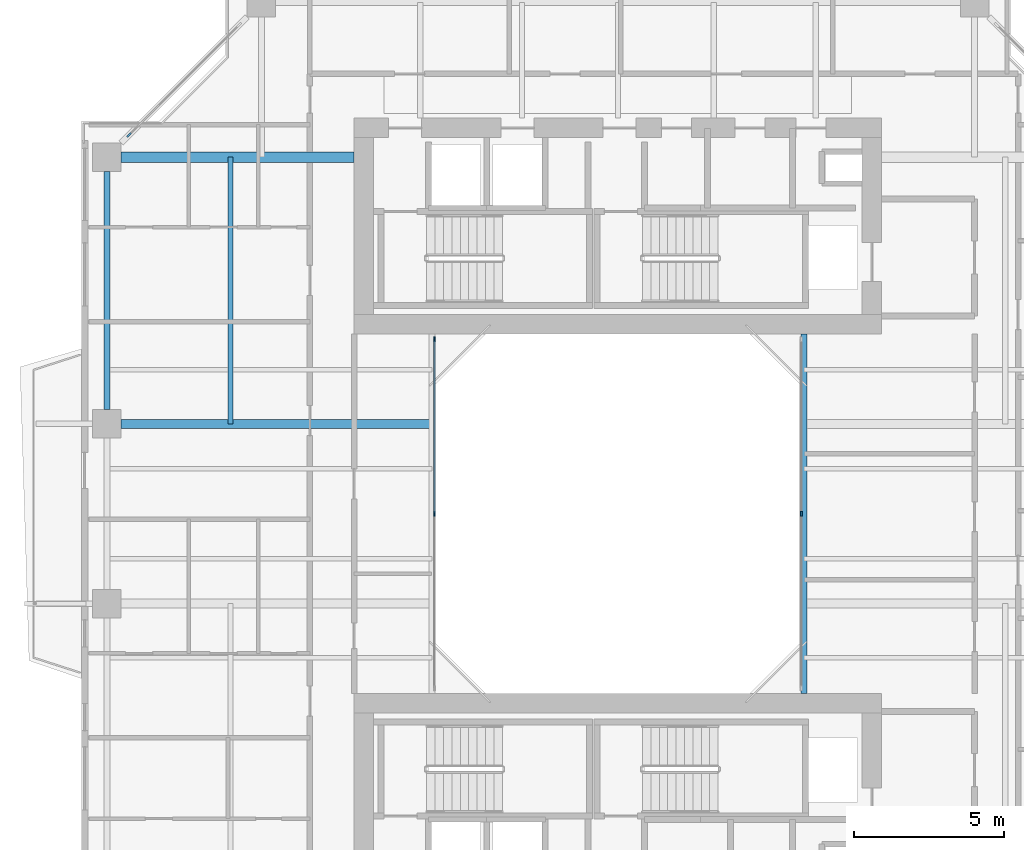
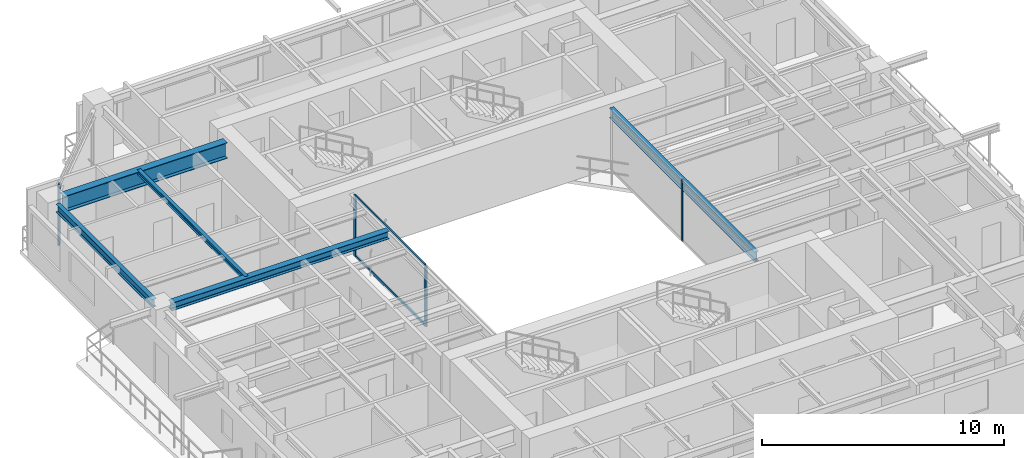
# One storey, part 6 of 18: 6 members, 5 beams, 3 elements without a shape of their own.
"""IFC4 building model written with IfcOpenShell, lengths in metres."""

from ifc_helpers import new_model, si_unit, direction, frame, origin, origin_2d, place, context, subcontext, project, spatial, rectangle, i_section, extrude, source, transform, mapped, material, layer, layer_set, material_profile, profile_set, type_object, element, aggregate, save


model = new_model("IFC4")

# Units and contexts
model_context = context("Model", 3, precision=1e-05, world=origin(), true_north=direction((0.0, 1.0)))
body_context = subcontext(model_context, "Body", "Model", "MODEL_VIEW")
ifc_project = project(units=[si_unit("LENGTHUNIT", "METRE"), si_unit("AREAUNIT", "SQUARE_METRE"), si_unit("VOLUMEUNIT", "CUBIC_METRE"), si_unit("PLANEANGLEUNIT", "RADIAN"), si_unit("MASSUNIT", "GRAM", prefix="KILO"), si_unit("THERMODYNAMICTEMPERATUREUNIT", "KELVIN"), si_unit("POWERUNIT", "WATT")], contexts=[model_context])

# Site, building, storey
site_placement = place(None, origin())
site = spatial("IfcSite", under=ifc_project, at=site_placement, CompositionType="ELEMENT")
building_placement = place(site_placement, origin())
building = spatial("IfcBuilding", under=site, at=building_placement, Name="Qiaomeng Ring Towers", CompositionType="ELEMENT")
storey_placement = place(building_placement, frame((0.0, 0.0, 179.5)))
storey = spatial("IfcBuildingStorey", under=building, at=storey_placement, Name="L52", CompositionType="ELEMENT", Elevation=179.5)

# Beams
ifc_material_1 = material(Name="Steel Q355B", Category="steel")
ifc_material_profile_1 = material_profile(ifc_material_1, i_section(OverallWidth=0.199951171875, OverallDepth=0.5, WebThickness=0.010009765625, FlangeThickness=0.01611328125, FilletRadius=0.02001953125, at=origin_2d()), Name="HN 500x200x10x16")
ifc_profile_set_1 = profile_set([ifc_material_profile_1], Name="Steel Q355B")
beam_type_1 = type_object("IfcBeamType", Name="STR-BM-HN500", PredefinedType="BEAM", material=ifc_profile_set_1)
shared_shape_1 = source(origin(), body_context, "Body", "SweptSolid", [
    extrude(i_section(OverallWidth=0.199951171875, OverallDepth=0.5, WebThickness=0.010009765625, FlangeThickness=0.01611328125, FilletRadius=0.02001953125, at=origin_2d()), origin(), (0.0, 0.0, 1.0), 12.0),
])
beam_1_placement = place(storey_placement, frame((25.199951171875, 17.0, 2.820068359375), z_axis=(0.0, 1.0, 0.0), x_axis=(-1.0, 0.0, 0.0)))
element("IfcBeam", 1, at=beam_1_placement, inside=storey, type_object=beam_type_1, Name="L52 beam STR-BM-L52-WELL-E", PredefinedType="BEAM", context=body_context, shape_type="MappedRepresentation", body=[
    mapped(shared_shape_1, transform((0.0, 0.0, 0.0), x_axis=(1.0, 0.0, 0.0), y_axis=(0.0, 1.0, 0.0), z_axis=(0.0, 0.0, 1.0), scale=1.0)),
])
ifc_material_profile_2 = material_profile(ifc_material_1, i_section(OverallWidth=0.175048828125, OverallDepth=0.243896484375, WebThickness=0.007080078125, FlangeThickness=0.010986328125, FilletRadius=0.01611328125, at=origin_2d()), Name="HM 244x175x7x11")
ifc_profile_set_2 = profile_set([ifc_material_profile_2], Name="Steel Q355B")
beam_type_2 = type_object("IfcBeamType", Name="STR-BM-HM244", PredefinedType="JOIST", material=ifc_profile_set_2)
shared_shape_2 = source(origin(), body_context, "Body", "SweptSolid", [
    extrude(i_section(OverallWidth=0.175048828125, OverallDepth=0.243896484375, WebThickness=0.007080078125, FlangeThickness=0.010986328125, FilletRadius=0.01611328125, at=origin_2d()), origin(), (0.0, 0.0, 1.0), 8.89990234375),
])
beam_2_placement = place(storey_placement, frame((6.074951171875, 26.0, 2.947998046875), z_axis=(0.0, 1.0, 0.0), x_axis=(-1.0, 0.0, 0.0)))
element("IfcBeam", 2, at=beam_2_placement, inside=storey, type_object=beam_type_2, Name="L52 beam STR-JST-L52-T1C-WN", PredefinedType="JOIST", context=body_context, shape_type="MappedRepresentation", body=[
    mapped(shared_shape_2, transform((0.0, 0.0, 0.0), x_axis=(1.0, 0.0, 0.0), y_axis=(0.0, 1.0, 0.0), z_axis=(0.0, 0.0, 1.0), scale=1.0)),
])
ifc_material_profile_3 = material_profile(ifc_material_1, i_section(OverallWidth=0.199951171875, OverallDepth=0.39990234375, WebThickness=0.008056640625, FlangeThickness=0.012939453125, FilletRadius=0.01611328125, at=origin_2d()), Name="HN 400x200x8x13")
ifc_profile_set_3 = profile_set([ifc_material_profile_3], Name="Steel Q355B")
beam_type_3 = type_object("IfcBeamType", Name="STR-BM-HN400", PredefinedType="SPANDREL", material=ifc_profile_set_3)
shared_shape_3 = source(origin(), body_context, "Body", "SweptSolid", [
    extrude(i_section(OverallWidth=0.199951171875, OverallDepth=0.39990234375, WebThickness=0.008056640625, FlangeThickness=0.012939453125, FilletRadius=0.01611328125, at=origin_2d()), origin(), (0.0, 0.0, 1.0), 7.951904296875),
])
beam_3_placement = place(storey_placement, frame((1.949951171875, 34.426025390625, 2.8701171875), z_axis=(0.0, -1.0, 0.0), x_axis=(1.0, 0.0, 0.0)))
element("IfcBeam", 3, at=beam_3_placement, inside=storey, type_object=beam_type_3, Name="L52 beam STR-SP-L52-T1-W4-W3", PredefinedType="SPANDREL", context=body_context, shape_type="MappedRepresentation", body=[
    mapped(shared_shape_3, transform((0.0, 0.0, 0.0), x_axis=(1.0, 0.0, 0.0), y_axis=(0.0, 1.0, 0.0), z_axis=(0.0, 0.0, 1.0), scale=1.0)),
])
ifc_material_2 = material(Name="Steel Q390GJC", Category="steel")
ifc_material_profile_4 = material_profile(ifc_material_2, i_section(OverallWidth=0.35009765625, OverallDepth=0.800048828125, WebThickness=0.01611328125, FlangeThickness=0.028076171875, at=origin_2d()), Name="WH 800x350x16x28")
ifc_profile_set_4 = profile_set([ifc_material_profile_4], Name="Steel Q390GJC")
beam_type_4 = type_object("IfcBeamType", Name="STR-BM-WH800", PredefinedType="BEAM", material=ifc_profile_set_4)
shared_shape_4 = source(origin(), body_context, "Body", "SweptSolid", [
    extrude(i_section(OverallWidth=0.35009765625, OverallDepth=0.800048828125, WebThickness=0.01611328125, FlangeThickness=0.028076171875, at=origin_2d()), origin(), (0.0, 0.0, 1.0), 7.77587890625),
])
beam_4_placement = place(storey_placement, frame((2.424072265625, 34.89990234375, 2.669921875), z_axis=(1.0, 0.0, 0.0), x_axis=(0.0, 1.0, 0.0)))
element("IfcBeam", 4, at=beam_4_placement, inside=storey, type_object=beam_type_4, Name="L52 beam STR-BM-L52-T1-RAD-W4", PredefinedType="BEAM", context=body_context, shape_type="MappedRepresentation", body=[
    mapped(shared_shape_4, transform((0.0, 0.0, 0.0), x_axis=(1.0, 0.0, 0.0), y_axis=(0.0, 1.0, 0.0), z_axis=(0.0, 0.0, 1.0), scale=1.0)),
])
ifc_material_profile_5 = material_profile(ifc_material_1, i_section(OverallWidth=0.300048828125, OverallDepth=0.389892578125, WebThickness=0.010009765625, FlangeThickness=0.01611328125, FilletRadius=0.02197265625, at=origin_2d()), Name="HM 390x300x10x16")
ifc_profile_set_5 = profile_set([ifc_material_profile_5], Name="Steel Q355B")
beam_type_5 = type_object("IfcBeamType", Name="STR-BM-HM390", PredefinedType="BEAM", material=ifc_profile_set_5)
shared_shape_5 = source(origin(), body_context, "Body", "SweptSolid", [
    extrude(i_section(OverallWidth=0.300048828125, OverallDepth=0.389892578125, WebThickness=0.010009765625, FlangeThickness=0.01611328125, FilletRadius=0.02197265625, at=origin_2d()), origin(), (0.0, 0.0, 1.0), 10.3759765625),
])
beam_5_placement = place(storey_placement, frame((2.424072265625, 26.0, 2.875), z_axis=(1.0, 0.0, 0.0), x_axis=(0.0, 1.0, 0.0)))
element("IfcBeam", 5, at=beam_5_placement, inside=storey, type_object=beam_type_5, Name="L52 beam STR-BM-L52-T1-RAD-W3", PredefinedType="BEAM", context=body_context, shape_type="MappedRepresentation", body=[
    mapped(shared_shape_5, transform((0.0, 0.0, 0.0), x_axis=(1.0, 0.0, 0.0), y_axis=(0.0, 1.0, 0.0), z_axis=(0.0, 0.0, 1.0), scale=1.0)),
])

# Curtain wall, members
ifc_material_3 = material(Name="Fluorocarbon dark-grey aluminium", Category="aluminium")
ifc_layer_1 = layer(ifc_material_3, 0.139892578125, Name="Fluorocarbon dark-grey aluminium")
ifc_layer_set_1 = layer_set([ifc_layer_1], Name="Fluorocarbon dark-grey aluminium")
curtain_wall_type_1 = type_object("IfcCurtainWallType", Name="ARC-CW-4", PredefinedType="NOTDEFINED", material=ifc_layer_set_1)
curtain_wall_1_placement = place(storey_placement, origin())
curtain_wall_1 = element("IfcCurtainWall", 6, at=curtain_wall_1_placement, inside=storey, type_object=curtain_wall_type_1, Name="L52 Curtain Wall CW4", PredefinedType="NOTDEFINED")
ifc_material_profile_6 = material_profile(ifc_material_3, rectangle(XDim=0.06494140625, YDim=0.159912109375, at=origin_2d()), Name="ALU MULL 65x160")
ifc_profile_set_6 = profile_set([ifc_material_profile_6], Name="Fluorocarbon dark-grey aluminium")
member_type_1 = type_object("IfcMemberType", Name="ARC-CWM-140", PredefinedType="MULLION", material=ifc_profile_set_6)
shared_shape_6 = source(origin(), body_context, "Body", "SweptSolid", [
    extrude(rectangle(XDim=0.06494140625, YDim=0.159912109375, at=origin_2d()), origin(), (0.0, 0.0, 1.0), 3.070068359375),
])
member_1_placement = place(storey_placement, frame((12.8798828125, 23.0, 0.0), z_axis=(0.0, 0.0, 1.0), x_axis=(-1.0, 0.0, 0.0)))
member_1 = element("IfcMember", 7, at=member_1_placement, type_object=member_type_1, Name="CW4 mullion 2", PredefinedType="MULLION", context=body_context, shape_type="MappedRepresentation", body=[
    mapped(shared_shape_6, transform((0.0, 0.0, 0.0), x_axis=(1.0, 0.0, 0.0), y_axis=(0.0, 1.0, 0.0), z_axis=(0.0, 0.0, 1.0), scale=1.0)),
])
member_2_placement = place(storey_placement, frame((12.8798828125, 28.8173828125, 0.0), z_axis=(0.0, 0.0, 1.0), x_axis=(-1.0, 0.0, 0.0)))
member_2 = element("IfcMember", 8, at=member_2_placement, type_object=member_type_1, Name="CW4 mullion 3", PredefinedType="MULLION", context=body_context, shape_type="MappedRepresentation", body=[
    mapped(shared_shape_6, transform((0.0, 0.0, 0.0), x_axis=(1.0, 0.0, 0.0), y_axis=(0.0, 1.0, 0.0), z_axis=(0.0, 0.0, 1.0), scale=1.0)),
])

# Curtain wall, member
curtain_wall_2_placement = place(storey_placement, origin())
curtain_wall_2 = element("IfcCurtainWall", 9, at=curtain_wall_2_placement, inside=storey, type_object=curtain_wall_type_1, Name="L52 Curtain Wall CW4", PredefinedType="NOTDEFINED")
member_3_placement = place(storey_placement, frame((25.1201171875, 23.0, 0.0), z_axis=(0.0, 0.0, 1.0), x_axis=(-1.0, 0.0, 0.0)))
member_3 = element("IfcMember", 10, at=member_3_placement, type_object=member_type_1, Name="CW4 mullion 2", PredefinedType="MULLION", context=body_context, shape_type="MappedRepresentation", body=[
    mapped(shared_shape_6, transform((0.0, 0.0, 0.0), x_axis=(1.0, 0.0, 0.0), y_axis=(0.0, 1.0, 0.0), z_axis=(0.0, 0.0, 1.0), scale=1.0)),
])
aggregate(curtain_wall_2, [member_3])

# Member
ifc_material_profile_7 = material_profile(ifc_material_3, rectangle(XDim=0.06494140625, YDim=0.1298828125, at=origin_2d()), Name="ALU TRAN 65x130")
ifc_profile_set_7 = profile_set([ifc_material_profile_7], Name="Fluorocarbon dark-grey aluminium")
member_type_2 = type_object("IfcMemberType", Name="ARC-CWT-120", PredefinedType="USERDEFINED", material=ifc_profile_set_7)
shared_shape_7 = source(origin(), body_context, "Body", "SweptSolid", [
    extrude(rectangle(XDim=0.06494140625, YDim=0.1298828125, at=origin_2d()), origin(), (0.0, 0.0, 1.0), 5.75244140625),
])
member_4_placement = place(storey_placement, frame((12.8798828125, 23.032470703125, 0.032470703125), z_axis=(0.0, 1.0, 0.0), x_axis=(-1.0, 0.0, 0.0)))
member_4 = element("IfcMember", 11, at=member_4_placement, type_object=member_type_2, Name="CW4 transom 2.1", ObjectType="TRANSOM", PredefinedType="USERDEFINED", context=body_context, shape_type="MappedRepresentation", body=[
    mapped(shared_shape_7, transform((0.0, 0.0, 0.0), x_axis=(1.0, 0.0, 0.0), y_axis=(0.0, 1.0, 0.0), z_axis=(0.0, 0.0, 1.0), scale=1.0)),
])

member_5_placement = place(storey_placement, frame((12.8798828125, 23.032470703125, 3.03759765625), z_axis=(0.0, 1.0, 0.0), x_axis=(-1.0, 0.0, 0.0)))
member_5 = element("IfcMember", 12, at=member_5_placement, type_object=member_type_2, Name="CW4 transom 2.2", ObjectType="TRANSOM", PredefinedType="USERDEFINED", context=body_context, shape_type="MappedRepresentation", body=[
    mapped(shared_shape_7, transform((0.0, 0.0, 0.0), x_axis=(1.0, 0.0, 0.0), y_axis=(0.0, 1.0, 0.0), z_axis=(0.0, 0.0, 1.0), scale=1.0)),
])

aggregate(curtain_wall_1, [member_1, member_2, member_4, member_5])

# Curtain wall, member
ifc_layer_2 = layer(ifc_material_3, 0.14990234375, Name="Fluorocarbon dark-grey aluminium")
ifc_layer_set_2 = layer_set([ifc_layer_2], Name="Fluorocarbon dark-grey aluminium")
curtain_wall_type_2 = type_object("IfcCurtainWallType", Name="ARC-CW-3", PredefinedType="NOTDEFINED", material=ifc_layer_set_2)
curtain_wall_3_placement = place(storey_placement, origin())
curtain_wall_3 = element("IfcCurtainWall", 13, at=curtain_wall_3_placement, inside=storey, type_object=curtain_wall_type_2, Name="L52 Curtain Wall CW3", PredefinedType="NOTDEFINED")
ifc_material_profile_8 = material_profile(ifc_material_3, rectangle(XDim=0.070068359375, YDim=0.179931640625, at=origin_2d()), Name="ALU MULL 70x180")
ifc_profile_set_8 = profile_set([ifc_material_profile_8], Name="Fluorocarbon dark-grey aluminium")
member_type_3 = type_object("IfcMemberType", Name="ARC-CWM-160", PredefinedType="MULLION", material=ifc_profile_set_8)
shared_shape_8 = source(origin(), body_context, "Body", "SweptSolid", [
    extrude(rectangle(XDim=0.070068359375, YDim=0.179931640625, at=origin_2d()), origin(), (0.0, 0.0, 1.0), 3.070068359375),
])
member_6_placement = place(storey_placement, frame((2.689697265625, 35.6396484375, 0.0), z_axis=(0.0, 0.0, 1.0), x_axis=(0.707106781187, -0.707106781187, 0.0)))
member_6 = element("IfcMember", 14, at=member_6_placement, type_object=member_type_3, Name="CW3 mullion 2", PredefinedType="MULLION", context=body_context, shape_type="MappedRepresentation", body=[
    mapped(shared_shape_8, transform((0.0, 0.0, 0.0), x_axis=(1.0, 0.0, 0.0), y_axis=(0.0, 1.0, 0.0), z_axis=(0.0, 0.0, 1.0), scale=1.0)),
])
aggregate(curtain_wall_3, [member_6])

save(model, "model.ifc")
